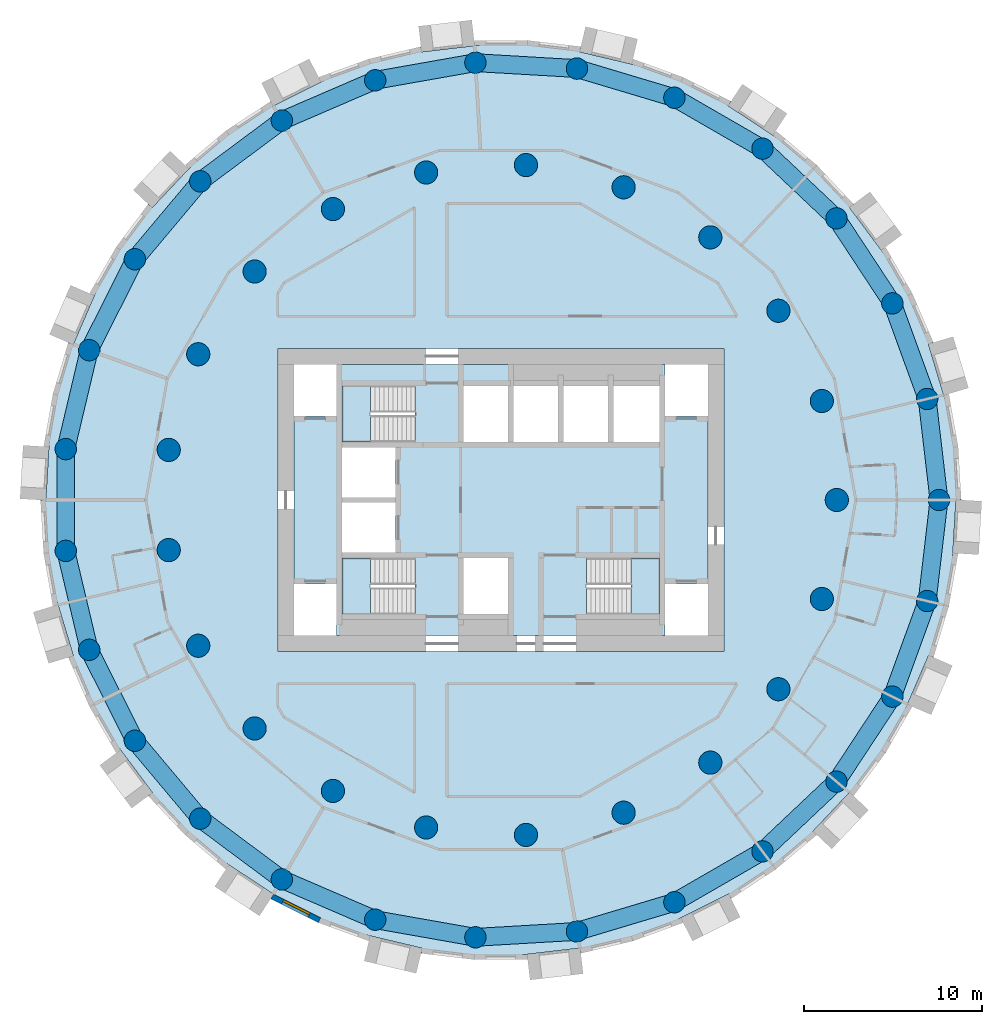
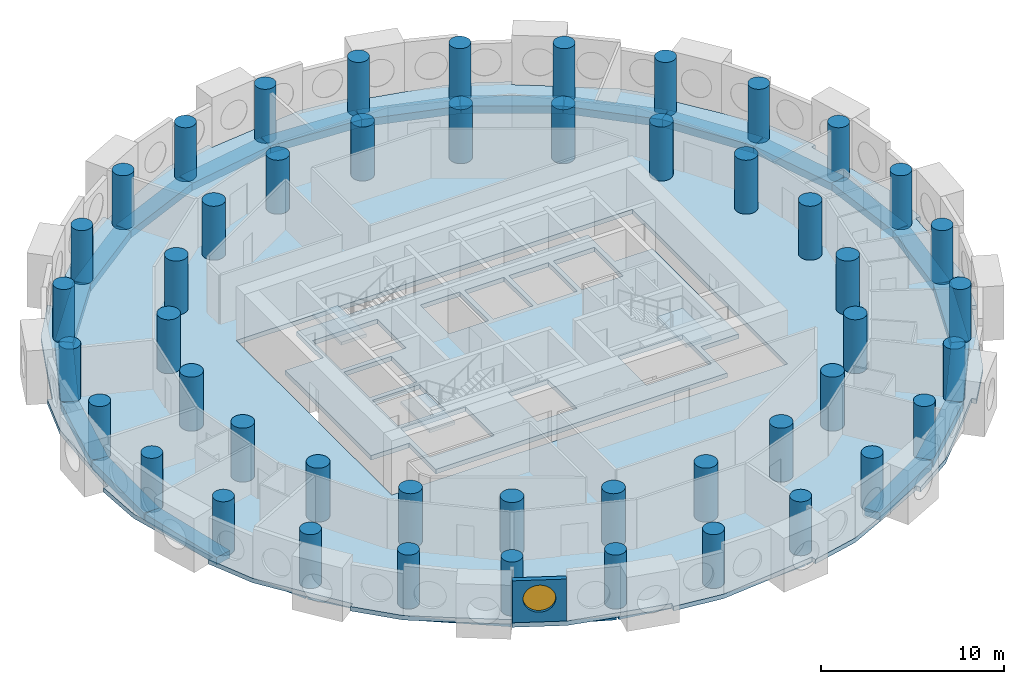
# One storey, part 1 of 9: 48 columns, 27 beams, 5 slabs, 1 wall, 1 window, 1 opening, 3 elements without a shape of their own.
"""IFC4 building model written with IfcOpenShell, lengths in metres."""

import ifcopenshell
import ifcopenshell.guid

model = None  # the IFC model being written
_history = None  # IfcOwnerHistory: only IFC2X3 demands one
_inside = {}  # id of a spatial element -> (the spatial element, [elements in it])
_under = {}  # id of a project, library or spatial element -> (it, [spatial elements below it])
_declared = {}  # id of a project -> (the project, [libraries it declares])
_typed = {}  # id of a type object -> (the type object, [elements of that type])
_made_of = {}  # id of a material, layer set ... -> (it, [elements and type objects made of it])


def new_model(schema):
    """Start an empty IFC model of exactly this schema.

    Asked for "IFC4X3", IfcOpenShell would pick the latest addendum, in which some entities
    have other attributes; the version numbers below select the first issue.
    IFC2X3 requires an IfcOwnerHistory on every rooted entity: one is made here for all.
    """
    global model, _history
    if schema == "IFC4X3":
        model = ifcopenshell.file(schema_version=(4, 3, 0, 0))
    else:
        model = ifcopenshell.file(schema=schema)
    _inside.clear()
    _under.clear()
    _declared.clear()
    _typed.clear()
    _made_of.clear()
    _history = None
    if model.schema == "IFC2X3":
        org = make("IfcOrganization", Name="unknown")
        user = make(
            "IfcPersonAndOrganization",
            ThePerson=make("IfcPerson", FamilyName="unknown"),
            TheOrganization=org,
        )
        app = make(
            "IfcApplication",
            ApplicationDeveloper=org,
            Version="unknown",
            ApplicationFullName="unknown",
            ApplicationIdentifier="unknown",
        )
        _history = make(
            "IfcOwnerHistory",
            OwningUser=user,
            OwningApplication=app,
            ChangeAction="ADDED",
            CreationDate=0,
        )
    return model


def make(cls, **values):
    """One entity of the class cls with the attributes given. An attribute that is None is left unset."""
    return model.create_entity(
        cls, **{name: value for name, value in values.items() if value is not None}
    )


def rooted(cls, **values):
    """An entity with a GlobalId (a new one), such as an element, a storey or a relation."""
    return make(cls, GlobalId=ifcopenshell.guid.new(), OwnerHistory=_history, **values)


def si_unit(unit_type, name, prefix=None):
    """IfcSIUnit, for example si_unit("LENGTHUNIT", "METRE", prefix="MILLI")."""
    return make("IfcSIUnit", UnitType=unit_type, Prefix=prefix, Name=name)


def assignment(units):
    """IfcUnitAssignment: the units of a project."""
    return None if units is None else make("IfcUnitAssignment", Units=units)


def point(xyz):
    """IfcCartesianPoint."""
    return None if xyz is None else make("IfcCartesianPoint", Coordinates=xyz)


def direction(xyz):
    """IfcDirection."""
    return None if xyz is None else make("IfcDirection", DirectionRatios=xyz)


def frame(location, z_axis=None, x_axis=None):
    """IfcAxis2Placement3D, a coordinate frame: its origin and axes. An axis left out is left unset."""
    return make(
        "IfcAxis2Placement3D",
        Location=point(location),
        Axis=direction(z_axis),
        RefDirection=direction(x_axis),
    )


def frame_2d(location, x_axis=None):
    """IfcAxis2Placement2D, a coordinate frame in the plane: its origin and x axis."""
    return make(
        "IfcAxis2Placement2D", Location=point(location), RefDirection=direction(x_axis)
    )


def origin():
    """The frame at (0, 0, 0) with its axes left unset."""
    return frame((0.0, 0.0, 0.0))


def origin_2d():
    """The frame at (0, 0) in the plane with its x axis left unset."""
    return frame_2d((0.0, 0.0))


def place(relative_to, where):
    """IfcLocalPlacement: puts the frame where relative to a parent placement (None: the world)."""
    return make(
        "IfcLocalPlacement", PlacementRelTo=relative_to, RelativePlacement=where
    )


def context(
    kind, dimensions, precision=None, world=None, true_north=None, identifier=None
):
    """IfcGeometricRepresentationContext, for example the 3D "Model" context."""
    return make(
        "IfcGeometricRepresentationContext",
        ContextIdentifier=identifier,
        ContextType=kind,
        CoordinateSpaceDimension=dimensions,
        Precision=precision,
        WorldCoordinateSystem=world,
        TrueNorth=true_north,
    )


def subcontext(parent, identifier, kind, view, scale=None):
    """IfcGeometricRepresentationSubContext, for example "Body" below "Model"."""
    return make(
        "IfcGeometricRepresentationSubContext",
        ContextIdentifier=identifier,
        ContextType=kind,
        ParentContext=parent,
        TargetScale=scale,
        TargetView=view,
    )


def project(units=None, contexts=None):
    """IfcProject with its units and contexts."""
    return rooted(
        "IfcProject",
        Name="project",
        RepresentationContexts=contexts,
        UnitsInContext=assignment(units),
    )


def spatial(cls, under=None, at=None, **own):
    """A site, building, storey or space (cls), placed at a placement, below another one or the project."""
    s = rooted(cls, ObjectPlacement=at, **own)
    if under is not None:
        _under.setdefault(under.id(), (under, []))[1].append(s)
    return s


def polyline(points):
    """IfcPolyline through the points."""
    return make("IfcPolyline", Points=[point(p) for p in points])


def profile(cls, at=None, kind="AREA", **sizes):
    """A parametric profile (cls). Its sizes go by their IFC names, for example OverallWidth=200.0."""
    return make(cls, ProfileType=kind, Position=at, **sizes)


def rectangle(**sizes):
    """IfcRectangleProfileDef."""
    return profile("IfcRectangleProfileDef", **sizes)


def circle(**sizes):
    """IfcCircleProfileDef."""
    return profile("IfcCircleProfileDef", **sizes)


def outline(outer, holes=None, kind="AREA"):
    """IfcArbitraryClosedProfileDef: a profile drawn as a closed curve; with holes, ...WithVoids."""
    if holes is None:
        return make("IfcArbitraryClosedProfileDef", ProfileType=kind, OuterCurve=outer)
    return make(
        "IfcArbitraryProfileDefWithVoids",
        ProfileType=kind,
        OuterCurve=outer,
        InnerCurves=holes,
    )


def extrude(swept, where, along, depth):
    """IfcExtrudedAreaSolid: the profile swept, set in the frame where, extruded along a direction by depth."""
    return make(
        "IfcExtrudedAreaSolid",
        SweptArea=swept,
        Position=where,
        ExtrudedDirection=direction(along),
        Depth=depth,
    )


def shape(context_of_items, identifier, shape_type, items):
    """IfcShapeRepresentation: the items that make up one representation, for example the "Body"."""
    return make(
        "IfcShapeRepresentation",
        ContextOfItems=context_of_items,
        RepresentationIdentifier=identifier,
        RepresentationType=shape_type,
        Items=items,
    )


def material(Name=None, Category=None):
    """IfcMaterial."""
    return make("IfcMaterial", Name=Name, Category=Category)


def layer(
    of_material, thickness, ventilated=None, Name=None, Category=None, Priority=None
):
    """IfcMaterialLayer: one layer of a wall or slab, of a material (None: an air gap)."""
    return make(
        "IfcMaterialLayer",
        Material=of_material,
        LayerThickness=thickness,
        IsVentilated=ventilated,
        Name=Name,
        Category=Category,
        Priority=Priority,
    )


def layer_set(layers, Name=None):
    """IfcMaterialLayerSet."""
    return make("IfcMaterialLayerSet", MaterialLayers=layers, LayerSetName=Name)


def material_profile(
    of_material, cross_section, Name=None, Category=None, Priority=None
):
    """IfcMaterialProfile: a cross section and its material."""
    return make(
        "IfcMaterialProfile",
        Name=Name,
        Material=of_material,
        Profile=cross_section,
        Priority=Priority,
        Category=Category,
    )


def profile_set(profiles, Name=None, composite=None):
    """IfcMaterialProfileSet."""
    return make(
        "IfcMaterialProfileSet",
        Name=Name,
        MaterialProfiles=profiles,
        CompositeProfile=composite,
    )


def made_of(thing, what):
    """Note that an element or type object is made of a material, layer set ...; save() writes the relation."""
    if what is not None:
        _made_of.setdefault(what.id(), (what, []))[1].append(thing)
    return thing


def type_object(cls, material=None, **own):
    """A type object (cls), such as IfcWallType, which elements share."""
    return made_of(rooted(cls, **own), material)


def element(
    cls,
    number,
    at=None,
    inside=None,
    cuts=None,
    type_object=None,
    material=None,
    context=None,
    identifier="Body",
    shape_type=None,
    held_by="IfcProductDefinitionShape",
    body=None,
    shapes=None,
    **own,
):
    """One element of the class cls, such as IfcWall. Its Tag is "e" and its number.

    at: its placement. inside: the storey or other place that contains it. cuts: it is an
    opening in that element (IfcRelVoidsElement). A single representation is given by context,
    identifier, shape_type and body (its items); several are given by shapes. held_by: the class
    of the entity that holds the representations. save() writes the other relations.
    """
    e = rooted(cls, Tag="e%d" % number, ObjectPlacement=at, **own)
    if body is not None:
        shapes = [shape(context, identifier, shape_type, body)]
    if shapes is not None:
        e.Representation = make(held_by, Representations=shapes)
    if inside is not None:
        _inside.setdefault(inside.id(), (inside, []))[1].append(e)
    if cuts is not None:
        rooted(
            "IfcRelVoidsElement", RelatingBuildingElement=cuts, RelatedOpeningElement=e
        )
    if type_object is not None:
        _typed.setdefault(type_object.id(), (type_object, []))[1].append(e)
    return made_of(e, material)


def fill(opening, filler):
    """IfcRelFillsElement: the door or window that sits in an opening."""
    return rooted(
        "IfcRelFillsElement",
        RelatingOpeningElement=opening,
        RelatedBuildingElement=filler,
    )


def aggregate(whole, parts):
    """IfcRelAggregates: a whole, such as a stair, and the parts it consists of."""
    return rooted("IfcRelAggregates", RelatingObject=whole, RelatedObjects=parts)


def save(model, path):
    """Write the relations noted so far, then the file.

    IfcRelAggregates (storeys below a building ...), IfcRelContainedInSpatialStructure (elements
    in a storey), IfcRelDefinesByType, IfcRelAssociatesMaterial and IfcRelDeclares: one each for
    every whole, place, type object, material and project.
    """
    for whole, parts in _under.values():
        aggregate(whole, parts)
    for where, things in _inside.values():
        rooted(
            "IfcRelContainedInSpatialStructure",
            RelatedElements=things,
            RelatingStructure=where,
        )
    for kind, things in _typed.values():
        rooted("IfcRelDefinesByType", RelatedObjects=things, RelatingType=kind)
    for what, things in _made_of.values():
        rooted("IfcRelAssociatesMaterial", RelatedObjects=things, RelatingMaterial=what)
    for by, libraries in _declared.values():
        rooted("IfcRelDeclares", RelatingContext=by, RelatedDefinitions=libraries)
    model.write(path)


model = new_model("IFC4")

# Units and contexts
model_context = context("Model", 3, precision=1e-05, world=origin(), true_north=direction((0.0, 1.0)))
body_context = subcontext(model_context, "Body", "Model", "MODEL_VIEW")
ifc_project = project(units=[si_unit("LENGTHUNIT", "METRE"), si_unit("AREAUNIT", "SQUARE_METRE"), si_unit("VOLUMEUNIT", "CUBIC_METRE"), si_unit("PLANEANGLEUNIT", "RADIAN"), si_unit("MASSUNIT", "GRAM", prefix="KILO")], contexts=[model_context])

# Site, building, storey
site_placement = place(None, origin())
site = spatial("IfcSite", under=ifc_project, at=site_placement, CompositionType="ELEMENT")
building_placement = place(site_placement, origin())
building = spatial("IfcBuilding", under=site, at=building_placement, Name="Tracery Tower", CompositionType="ELEMENT")
storey_placement = place(building_placement, frame((0.0, 0.0, 190.800048828125)))
storey = spatial("IfcBuildingStorey", under=building, at=storey_placement, Name="L49", CompositionType="ELEMENT", Elevation=190.800048828125)

# Columns
ifc_material_1 = material(Name="Concrete C50/60", Category="concrete")
ifc_material_profile_1 = material_profile(ifc_material_1, circle(Radius=0.60009765625, at=origin_2d()), Name="RC D1200")
ifc_profile_set_1 = profile_set([ifc_material_profile_1], Name="Concrete C50/60")
column_type_1 = type_object("IfcColumnType", Name="Ring 1 column 1200", PredefinedType="COLUMN", material=ifc_profile_set_1)
for number, where, z_axis, x_axis, name in (
    (1, (24.547607421875, 0.0, 0.0), (0.0, 0.0, 1.0), (1.0, 0.0, 0.0), "Ring 1 column 00 at L49"),
    (2, (23.885986328125, 5.6611328125, 0.0), (0.0, 0.0, 1.0), (1.0, 0.0, 0.0), "Ring 1 column 01 at L49"),
    (3, (21.9365234375, 11.01708984375, 0.0), (0.0, 0.0, 1.0), (1.0, 0.0, 0.0), "Ring 1 column 02 at L49"),
    (4, (18.8046875, 15.779052734375, 0.0), (0.0, 0.0, 1.0), (1.0, 0.0, 0.0), "Ring 1 column 03 at L49"),
    (5, (14.658935546875, 19.690185546875, 0.0), (0.0, 0.0, 1.0), (1.0, 0.0, 0.0), "Ring 1 column 04 at L49"),
    (6, (9.722900390625, 22.5400390625, 0.0), (0.0, 0.0, 1.0), (1.0, 0.0, 0.0), "Ring 1 column 05 at L49"),
    (7, (4.2626953125, 24.1748046875, 0.0), (0.0, 0.0, 1.0), (1.0, 0.0, 0.0), "Ring 1 column 06 at L49"),
    (8, (-1.42724609375, 24.506103515625, 0.0), (0.0, 0.0, 1.0), (1.0, 0.0, 0.0), "Ring 1 column 07 at L49"),
    (9, (-7.040283203125, 23.516357421875, 0.0), (0.0, 0.0, 1.0), (1.0, 0.0, 0.0), "Ring 1 column 08 at L49"),
    (10, (-12.273681640625, 21.2587890625, 0.0), (0.0, 0.0, 1.0), (1.0, 0.0, 0.0), "Ring 1 column 09 at L49"),
    (11, (-16.845703125, 17.855224609375, 0.0), (0.0, 0.0, 1.0), (1.0, 0.0, 0.0), "Ring 1 column 10 at L49"),
    (12, (-20.50927734375, 13.4892578125, 0.0), (0.0, 0.0, 1.0), (1.0, 0.0, 0.0), "Ring 1 column 11 at L49"),
    (13, (-23.0673828125, 8.395751953125, 0.0), (0.0, 0.0, 1.0), (1.0, 0.0, 0.0), "Ring 1 column 12 at L49"),
    (14, (-24.381591796875, 2.849853515625, 0.0), (0.0, 0.0, 1.0), (1.0, 0.0, 0.0), "Ring 1 column 13 at L49"),
    (15, (-24.381591796875, -2.849853515625, 0.0), (0.0, 0.0, 1.0), (1.0, 0.0, 0.0), "Ring 1 column 14 at L49"),
    (16, (-23.0673828125, -8.395751953125, 0.0), (0.0, 0.0, 1.0), (1.0, 0.0, 0.0), "Ring 1 column 15 at L49"),
    (17, (-20.50927734375, -13.4892578125, 0.0), (0.0, 0.0, 1.0), (1.0, 0.0, 0.0), "Ring 1 column 16 at L49"),
    (18, (-16.845703125, -17.85546875, 0.0), (0.0, 0.0, 1.0), (1.0, 0.0, 0.0), "Ring 1 column 17 at L49"),
    (19, (-12.27392578125, -21.2587890625, 0.0), (0.0, 0.0, 1.0), (1.0, 0.0, 0.0), "Ring 1 column 18 at L49"),
    (20, (-7.040283203125, -23.516357421875, 0.0), (0.0, 0.0, 1.0), (1.0, 0.0, 0.0), "Ring 1 column 19 at L49"),
    (21, (-1.42724609375, -24.506103515625, 0.0), (0.0, 0.0, 1.0), (1.0, 0.0, 0.0), "Ring 1 column 20 at L49"),
    (22, (4.2626953125, -24.1748046875, 0.0), (0.0, 0.0, 1.0), (1.0, 0.0, 0.0), "Ring 1 column 21 at L49"),
    (23, (9.722900390625, -22.5400390625, 0.0), (0.0, 0.0, 1.0), (1.0, 0.0, 0.0), "Ring 1 column 22 at L49"),
    (24, (14.658935546875, -19.690185546875, 0.0), (0.0, 0.0, 1.0), (1.0, 0.0, 0.0), "Ring 1 column 23 at L49"),
    (25, (18.8046875, -15.779052734375, 0.0), (0.0, 0.0, 1.0), (1.0, 0.0, 0.0), "Ring 1 column 24 at L49"),
    (26, (21.9365234375, -11.01708984375, 0.0), (0.0, 0.0, 1.0), (1.0, 0.0, 0.0), "Ring 1 column 25 at L49"),
    (27, (23.885986328125, -5.6611328125, 0.0), (0.0, 0.0, 1.0), (1.0, 0.0, 0.0), "Ring 1 column 26 at L49"),
):
    element("IfcColumn", number, at=place(storey_placement, frame(where, z_axis=z_axis, x_axis=x_axis)), inside=storey, type_object=column_type_1, Name=name, PredefinedType="COLUMN", context=body_context, shape_type="SweptSolid", body=[
        extrude(circle(Radius=0.60009765625, at=origin_2d()), origin(), (0.0, 0.0, 1.0), 3.599853515625),
    ])
ifc_material_2 = material(Name="Concrete C50/60", Category="concrete")
ifc_material_profile_2 = material_profile(ifc_material_2, circle(Radius=0.64990234375, at=origin_2d()), Name="RC D1300")
ifc_profile_set_2 = profile_set([ifc_material_profile_2], Name="Concrete C50/60")
column_type_2 = type_object("IfcColumnType", Name="Ring 2 column 1300", PredefinedType="COLUMN", material=ifc_profile_set_2)
for number, where, z_axis, x_axis, name in (
    (28, (18.822265625, 0.0, 0.0), (0.0, 0.0, 1.0), (1.0, 0.0, 0.0), "Ring 2 column 00 at L49"),
    (29, (17.986083984375, 5.5478515625, 0.0), (0.0, 0.0, 1.0), (1.0, 0.0, 0.0), "Ring 2 column 01 at L49"),
    (30, (15.551513671875, 10.602783203125, 0.0), (0.0, 0.0, 1.0), (1.0, 0.0, 0.0), "Ring 2 column 02 at L49"),
    (31, (11.7353515625, 14.7158203125, 0.0), (0.0, 0.0, 1.0), (1.0, 0.0, 0.0), "Ring 2 column 03 at L49"),
    (32, (6.87646484375, 17.52099609375, 0.0), (0.0, 0.0, 1.0), (1.0, 0.0, 0.0), "Ring 2 column 04 at L49"),
    (33, (1.406494140625, 18.76953125, 0.0), (0.0, 0.0, 1.0), (1.0, 0.0, 0.0), "Ring 2 column 05 at L49"),
    (34, (-4.188232421875, 18.350341796875, 0.0), (0.0, 0.0, 1.0), (1.0, 0.0, 0.0), "Ring 2 column 06 at L49"),
    (35, (-9.4111328125, 16.300537109375, 0.0), (0.0, 0.0, 1.0), (1.0, 0.0, 0.0), "Ring 2 column 07 at L49"),
    (36, (-13.797607421875, 12.802490234375, 0.0), (0.0, 0.0, 1.0), (1.0, 0.0, 0.0), "Ring 2 column 08 at L49"),
    (37, (-16.958251953125, 8.16650390625, 0.0), (0.0, 0.0, 1.0), (1.0, 0.0, 0.0), "Ring 2 column 09 at L49"),
    (38, (-18.612060546875, 2.805419921875, 0.0), (0.0, 0.0, 1.0), (1.0, 0.0, 0.0), "Ring 2 column 10 at L49"),
    (39, (-18.612060546875, -2.805419921875, 0.0), (0.0, 0.0, 1.0), (1.0, 0.0, 0.0), "Ring 2 column 11 at L49"),
    (40, (-16.958251953125, -8.166748046875, 0.0), (0.0, 0.0, 1.0), (1.0, 0.0, 0.0), "Ring 2 column 12 at L49"),
    (41, (-13.797607421875, -12.80224609375, 0.0), (0.0, 0.0, 1.0), (1.0, 0.0, 0.0), "Ring 2 column 13 at L49"),
    (42, (-9.4111328125, -16.300537109375, 0.0), (0.0, 0.0, 1.0), (1.0, 0.0, 0.0), "Ring 2 column 14 at L49"),
    (43, (-4.188232421875, -18.350341796875, 0.0), (0.0, 0.0, 1.0), (1.0, 0.0, 0.0), "Ring 2 column 15 at L49"),
    (44, (1.406494140625, -18.76953125, 0.0), (0.0, 0.0, 1.0), (1.0, 0.0, 0.0), "Ring 2 column 16 at L49"),
    (45, (6.87646484375, -17.52099609375, 0.0), (0.0, 0.0, 1.0), (1.0, 0.0, 0.0), "Ring 2 column 17 at L49"),
    (46, (11.7353515625, -14.7158203125, 0.0), (0.0, 0.0, 1.0), (1.0, 0.0, 0.0), "Ring 2 column 18 at L49"),
    (47, (15.551513671875, -10.602783203125, 0.0), (0.0, 0.0, 1.0), (1.0, 0.0, 0.0), "Ring 2 column 19 at L49"),
    (48, (17.986083984375, -5.5478515625, 0.0), (0.0, 0.0, 1.0), (1.0, 0.0, 0.0), "Ring 2 column 20 at L49"),
):
    element("IfcColumn", number, at=place(storey_placement, frame(where, z_axis=z_axis, x_axis=x_axis)), inside=storey, type_object=column_type_2, Name=name, PredefinedType="COLUMN", context=body_context, shape_type="SweptSolid", body=[
        extrude(circle(Radius=0.64990234375, at=origin_2d()), origin(), (0.0, 0.0, 1.0), 3.599853515625),
    ])

# Beams
ifc_material_3 = material(Name="Concrete C50/60", Category="concrete")
ifc_material_profile_3 = material_profile(ifc_material_3, rectangle(XDim=1.0, YDim=0.5, at=origin_2d()), Name="RC 1000x500")
ifc_profile_set_3 = profile_set([ifc_material_profile_3], Name="Concrete C50/60")
beam_type = type_object("IfcBeamType", Name="Perimeter band beam 1000x500", PredefinedType="BEAM", material=ifc_profile_set_3)
for number, where, z_axis, x_axis, name in (
    (49, (24.547607421875, 0.0, -0.550048828125), (-0.116080723252, 0.993239782575, 0.0), (-0.993239782575, -0.116080723252, 0.0), "Perimeter beam 1.00 under L49"),
    (50, (23.885986328125, 5.6611328125, -0.550048828125), (-0.342028502279, 0.939689578334, 0.0), (-0.939689578334, -0.342028502279, 0.0), "Perimeter beam 1.01 under L49"),
):
    element("IfcBeam", number, at=place(storey_placement, frame(where, z_axis=z_axis, x_axis=x_axis)), inside=storey, type_object=beam_type, Name=name, PredefinedType="BEAM", context=body_context, shape_type="SweptSolid", body=[
        extrude(rectangle(XDim=1.0, YDim=0.5, at=origin_2d()), origin(), (0.0, 0.0, 1.0), 5.69970703125),
    ])
for number, where, z_axis, x_axis, name in (
    (51, (21.9365234375, 11.01708984375, -0.550048828125), (-0.549489832182, 0.835500403548, 0.0), (-0.835500403548, -0.549489832182, 0.0), "Perimeter beam 1.02 under L49"),
    (52, (18.8046875, 15.779052734375, -0.550048828125), (-0.727389618263, 0.686224703172, 0.0), (-0.686224703172, -0.727389618263, 0.0), "Perimeter beam 1.03 under L49"),
):
    element("IfcBeam", number, at=place(storey_placement, frame(where, z_axis=z_axis, x_axis=x_axis)), inside=storey, type_object=beam_type, Name=name, PredefinedType="BEAM", context=body_context, shape_type="SweptSolid", body=[
        extrude(rectangle(XDim=1.0, YDim=0.5, at=origin_2d()), origin(), (0.0, 0.0, 1.0), 5.699462890625),
    ])
for number, where, z_axis, x_axis, name in (
    (53, (14.658935546875, 19.690185546875, -0.550048828125), (-0.866022950691, 0.500004248858, 0.0), (-0.500004248858, -0.866022950691, 0.0), "Perimeter beam 1.04 under L49"),
    (54, (9.722900390625, 22.5400390625, -0.550048828125), (-0.957985292634, 0.28681732705, 0.0), (-0.28681732705, -0.957985292634, 0.0), "Perimeter beam 1.05 under L49"),
):
    element("IfcBeam", number, at=place(storey_placement, frame(where, z_axis=z_axis, x_axis=x_axis)), inside=storey, type_object=beam_type, Name=name, PredefinedType="BEAM", context=body_context, shape_type="SweptSolid", body=[
        extrude(rectangle(XDim=1.0, YDim=0.5, at=origin_2d()), origin(), (0.0, 0.0, 1.0), 5.69970703125),
    ])
beam_1_placement = place(storey_placement, frame((4.2626953125, 24.1748046875, -0.550048828125), z_axis=(-0.99830920221, 0.058126902403, 0.0), x_axis=(-0.058126902403, -0.99830920221, 0.0)))
element("IfcBeam", 55, at=beam_1_placement, inside=storey, type_object=beam_type, Name="Perimeter beam 1.06 under L49", PredefinedType="BEAM", context=body_context, shape_type="SweptSolid", body=[
    extrude(rectangle(XDim=1.0, YDim=0.5, at=origin_2d()), origin(), (0.0, 0.0, 1.0), 5.699462890625),
])
beam_2_placement = place(storey_placement, frame((-1.42724609375, 24.506103515625, -0.550048828125), z_axis=(-0.984807266719, -0.173650935552, 0.0), x_axis=(0.173650935552, -0.984807266719, 0.0)))
element("IfcBeam", 56, at=beam_2_placement, inside=storey, type_object=beam_type, Name="Perimeter beam 1.07 under L49", PredefinedType="BEAM", context=body_context, shape_type="SweptSolid", body=[
    extrude(rectangle(XDim=1.0, YDim=0.5, at=origin_2d()), origin(), (0.0, 0.0, 1.0), 5.69970703125),
])
beam_3_placement = place(storey_placement, frame((-7.040283203125, 23.516357421875, -0.550048828125), z_axis=(-0.918209685525, -0.396094652083, 0.0), x_axis=(0.396094652083, -0.918209685525, 0.0)))
element("IfcBeam", 57, at=beam_3_placement, inside=storey, type_object=beam_type, Name="Perimeter beam 1.08 under L49", PredefinedType="BEAM", context=body_context, shape_type="SweptSolid", body=[
    extrude(rectangle(XDim=1.0, YDim=0.5, at=origin_2d()), origin(), (0.0, 0.0, 1.0), 5.699462890625),
])
beam_4_placement = place(storey_placement, frame((-12.273681640625, 21.2587890625, -0.550048828125), z_axis=(-0.802138271299, -0.59713833717, 0.0), x_axis=(0.59713833717, -0.802138271299, 0.0)))
element("IfcBeam", 58, at=beam_4_placement, inside=storey, type_object=beam_type, Name="Perimeter beam 1.09 under L49", PredefinedType="BEAM", context=body_context, shape_type="SweptSolid", body=[
    extrude(rectangle(XDim=1.0, YDim=0.5, at=origin_2d()), origin(), (0.0, 0.0, 1.0), 5.69970703125),
])
beam_5_placement = place(storey_placement, frame((-16.845703125, 17.855224609375, -0.550048828125), z_axis=(-0.642797194343, -0.766036400535, 0.0), x_axis=(0.766036400535, -0.642797194343, 0.0)))
element("IfcBeam", 59, at=beam_5_placement, inside=storey, type_object=beam_type, Name="Perimeter beam 1.10 under L49", PredefinedType="BEAM", context=body_context, shape_type="SweptSolid", body=[
    extrude(rectangle(XDim=1.0, YDim=0.5, at=origin_2d()), origin(), (0.0, 0.0, 1.0), 5.699462890625),
])
beam_6_placement = place(storey_placement, frame((-20.50927734375, 13.4892578125, -0.550048828125), z_axis=(-0.448806280933, -0.893629074166, 0.0), x_axis=(0.893629074166, -0.448806280933, 0.0)))
element("IfcBeam", 60, at=beam_6_placement, inside=storey, type_object=beam_type, Name="Perimeter beam 1.11 under L49", PredefinedType="BEAM", context=body_context, shape_type="SweptSolid", body=[
    extrude(rectangle(XDim=1.0, YDim=0.5, at=origin_2d()), origin(), (0.0, 0.0, 1.0), 5.69970703125),
])
beam_7_placement = place(storey_placement, frame((-23.0673828125, 8.395751953125, -0.550048828125), z_axis=(-0.230583793756, -0.973052472407, 0.0), x_axis=(0.973052472407, -0.230583793756, 0.0)))
element("IfcBeam", 61, at=beam_7_placement, inside=storey, type_object=beam_type, Name="Perimeter beam 1.12 under L49", PredefinedType="BEAM", context=body_context, shape_type="SweptSolid", body=[
    extrude(rectangle(XDim=1.0, YDim=0.5, at=origin_2d()), origin(), (0.0, 0.0, 1.0), 5.699462890625),
])
beam_8_placement = place(storey_placement, frame((-24.381591796875, 2.849853515625, -0.550048828125), z_axis=(0.0, -1.0, 0.0), x_axis=(1.0, 0.0, 0.0)))
element("IfcBeam", 62, at=beam_8_placement, inside=storey, type_object=beam_type, Name="Perimeter beam 1.13 under L49", PredefinedType="BEAM", context=body_context, shape_type="SweptSolid", body=[
    extrude(rectangle(XDim=1.0, YDim=0.5, at=origin_2d()), origin(), (0.0, 0.0, 1.0), 5.69970703125),
])
beam_9_placement = place(storey_placement, frame((-24.381591796875, -2.849853515625, -0.550048828125), z_axis=(0.230583793756, -0.973052472407, 0.0), x_axis=(0.973052472407, 0.230583793756, 0.0)))
element("IfcBeam", 63, at=beam_9_placement, inside=storey, type_object=beam_type, Name="Perimeter beam 1.14 under L49", PredefinedType="BEAM", context=body_context, shape_type="SweptSolid", body=[
    extrude(rectangle(XDim=1.0, YDim=0.5, at=origin_2d()), origin(), (0.0, 0.0, 1.0), 5.699462890625),
])
for number, where, z_axis, x_axis, name in (
    (64, (-23.0673828125, -8.395751953125, -0.550048828125), (0.448806280933, -0.893629074166, 0.0), (0.893629074166, 0.448806280933, 0.0), "Perimeter beam 1.15 under L49"),
    (65, (-20.50927734375, -13.4892578125, -0.550048828125), (0.64277610208, -0.766054099, 0.0), (0.766054099, 0.64277610208, 0.0), "Perimeter beam 1.16 under L49"),
):
    element("IfcBeam", number, at=place(storey_placement, frame(where, z_axis=z_axis, x_axis=x_axis)), inside=storey, type_object=beam_type, Name=name, PredefinedType="BEAM", context=body_context, shape_type="SweptSolid", body=[
        extrude(rectangle(XDim=1.0, YDim=0.5, at=origin_2d()), origin(), (0.0, 0.0, 1.0), 5.69970703125),
    ])
beam_10_placement = place(storey_placement, frame((-16.845703125, -17.85546875, -0.550048828125), z_axis=(0.802143514942, -0.597131293298, 0.0), x_axis=(0.597131293298, 0.802143514942, 0.0)))
element("IfcBeam", 66, at=beam_10_placement, inside=storey, type_object=beam_type, Name="Perimeter beam 1.17 under L49", PredefinedType="BEAM", context=body_context, shape_type="SweptSolid", body=[
    extrude(rectangle(XDim=1.0, YDim=0.5, at=origin_2d()), origin(), (0.0, 0.0, 1.0), 5.699462890625),
])
for number, where, z_axis, x_axis, name in (
    (67, (-12.27392578125, -21.2587890625, -0.550048828125), (0.918216405543, -0.39607907366, 0.0), (0.39607907366, 0.918216405543, 0.0), "Perimeter beam 1.18 under L49"),
    (68, (-7.040283203125, -23.516357421875, -0.550048828125), (0.984807266719, -0.173650935552, 0.0), (0.173650935552, 0.984807266719, 0.0), "Perimeter beam 1.19 under L49"),
):
    element("IfcBeam", number, at=place(storey_placement, frame(where, z_axis=z_axis, x_axis=x_axis)), inside=storey, type_object=beam_type, Name=name, PredefinedType="BEAM", context=body_context, shape_type="SweptSolid", body=[
        extrude(rectangle(XDim=1.0, YDim=0.5, at=origin_2d()), origin(), (0.0, 0.0, 1.0), 5.69970703125),
    ])
beam_11_placement = place(storey_placement, frame((-1.42724609375, -24.506103515625, -0.550048828125), z_axis=(0.99830920221, 0.058126902403, 0.0), x_axis=(-0.058126902403, 0.99830920221, 0.0)))
element("IfcBeam", 69, at=beam_11_placement, inside=storey, type_object=beam_type, Name="Perimeter beam 1.20 under L49", PredefinedType="BEAM", context=body_context, shape_type="SweptSolid", body=[
    extrude(rectangle(XDim=1.0, YDim=0.5, at=origin_2d()), origin(), (0.0, 0.0, 1.0), 5.699462890625),
])
for number, where, z_axis, x_axis, name in (
    (70, (4.2626953125, -24.1748046875, -0.550048828125), (0.957985292634, 0.28681732705, 0.0), (-0.28681732705, 0.957985292634, 0.0), "Perimeter beam 1.21 under L49"),
    (71, (9.722900390625, -22.5400390625, -0.550048828125), (0.866022950691, 0.500004248858, 0.0), (-0.500004248858, 0.866022950691, 0.0), "Perimeter beam 1.22 under L49"),
):
    element("IfcBeam", number, at=place(storey_placement, frame(where, z_axis=z_axis, x_axis=x_axis)), inside=storey, type_object=beam_type, Name=name, PredefinedType="BEAM", context=body_context, shape_type="SweptSolid", body=[
        extrude(rectangle(XDim=1.0, YDim=0.5, at=origin_2d()), origin(), (0.0, 0.0, 1.0), 5.69970703125),
    ])
for number, where, z_axis, x_axis, name in (
    (72, (14.658935546875, -19.690185546875, -0.550048828125), (0.727389618263, 0.686224703172, 0.0), (-0.686224703172, 0.727389618263, 0.0), "Perimeter beam 1.23 under L49"),
    (73, (18.8046875, -15.779052734375, -0.550048828125), (0.549489832182, 0.835500403548, 0.0), (-0.835500403548, 0.549489832182, 0.0), "Perimeter beam 1.24 under L49"),
):
    element("IfcBeam", number, at=place(storey_placement, frame(where, z_axis=z_axis, x_axis=x_axis)), inside=storey, type_object=beam_type, Name=name, PredefinedType="BEAM", context=body_context, shape_type="SweptSolid", body=[
        extrude(rectangle(XDim=1.0, YDim=0.5, at=origin_2d()), origin(), (0.0, 0.0, 1.0), 5.699462890625),
    ])
for number, where, z_axis, x_axis, name in (
    (74, (21.9365234375, -11.01708984375, -0.550048828125), (0.342028502279, 0.939689578334, 0.0), (-0.939689578334, 0.342028502279, 0.0), "Perimeter beam 1.25 under L49"),
    (75, (23.885986328125, -5.6611328125, -0.550048828125), (0.116080723252, 0.993239782575, 0.0), (-0.993239782575, 0.116080723252, 0.0), "Perimeter beam 1.26 under L49"),
):
    element("IfcBeam", number, at=place(storey_placement, frame(where, z_axis=z_axis, x_axis=x_axis)), inside=storey, type_object=beam_type, Name=name, PredefinedType="BEAM", context=body_context, shape_type="SweptSolid", body=[
        extrude(rectangle(XDim=1.0, YDim=0.5, at=origin_2d()), origin(), (0.0, 0.0, 1.0), 5.69970703125),
    ])

# Slabs
ifc_material_4 = material(Name="Concrete C50/60", Category="concrete")
ifc_layer_1 = layer(ifc_material_4, 0.300048828125)
ifc_layer_set_1 = layer_set([ifc_layer_1], Name="Core floor slab 300 C50")
slab_type_1 = type_object("IfcSlabType", Name="Core floor slab 300 C50", PredefinedType="FLOOR", material=ifc_layer_set_1)
slab_1_placement = place(storey_placement, frame((0.0, 0.0, -0.300048828125)))
element("IfcSlab", 76, at=slab_1_placement, inside=storey, type_object=slab_type_1, Name="L49 core floor 1", PredefinedType="FLOOR", context=body_context, shape_type="SweptSolid", body=[
    extrude(outline(polyline([(-9.199951171875, 7.60009765625), (9.199951171875, 7.60009765625), (9.199951171875, 4.699951171875), (11.60009765625, 4.699951171875), (11.60009765625, -4.699951171875), (9.199951171875, -4.699951171875), (9.199951171875, -7.60009765625), (-9.199951171875, -7.60009765625), (-9.199951171875, -4.699951171875), (-11.60009765625, -4.699951171875), (-11.60009765625, 4.699951171875), (-9.199951171875, 4.699951171875), (-9.199951171875, 7.60009765625)]), holes=[polyline([(4.800537109375, -6.39990234375), (8.89990234375, -6.39990234375), (8.89990234375, -3.25), (4.800537109375, -3.25), (4.800537109375, -6.39990234375)]), polyline([(8.89990234375, 3.25), (8.89990234375, 6.39990234375), (6.300048828125, 6.39990234375), (6.300048828125, 3.25), (8.89990234375, 3.25)]), polyline([(6.0, 3.25), (6.0, 6.39990234375), (3.5, 6.39990234375), (3.5, 3.25), (6.0, 3.25)]), polyline([(3.199951171875, 3.25), (3.199951171875, 6.39990234375), (0.699951171875, 6.39990234375), (0.699951171875, 3.25), (3.199951171875, 3.25)]), polyline([(-2.10009765625, 3.25), (0.39990234375, 3.25), (0.39990234375, 6.39990234375), (-2.10009765625, 6.39990234375), (-2.10009765625, 3.25)]), polyline([(0.39990234375, -6.39990234375), (0.39990234375, -3.25), (-2.10009765625, -3.25), (-2.10009765625, -6.39990234375), (0.39990234375, -6.39990234375)]), polyline([(-4.800537109375, -3.25), (-8.89990234375, -3.25), (-8.89990234375, -6.39990234375), (-4.800537109375, -6.39990234375), (-4.800537109375, -3.25)]), polyline([(-4.800537109375, 6.39990234375), (-8.89990234375, 6.39990234375), (-8.89990234375, 3.25), (-4.800537109375, 3.25), (-4.800537109375, 6.39990234375)]), polyline([(-5.89990234375, -2.949951171875), (-5.89990234375, -0.14990234375), (-8.89990234375, -0.14990234375), (-8.89990234375, -2.949951171875), (-5.89990234375, -2.949951171875)]), polyline([(-5.89990234375, 0.14990234375), (-5.89990234375, 2.949951171875), (-8.89990234375, 2.949951171875), (-8.89990234375, 0.14990234375), (-5.89990234375, 0.14990234375)])]), origin(), (0.0, 0.0, 1.0), 0.300048828125),
])
ifc_material_5 = material(Name="Concrete C40/50", Category="concrete")
ifc_layer_2 = layer(ifc_material_5, 0.300048828125)
ifc_layer_set_2 = layer_set([ifc_layer_2], Name="Floor slab 300")
slab_type_2 = type_object("IfcSlabType", Name="Floor slab 300", PredefinedType="FLOOR", material=ifc_layer_set_2)
slab_2_placement = place(storey_placement, frame((0.0, 0.0, -0.300048828125)))
element("IfcSlab", 77, at=slab_2_placement, inside=storey, type_object=slab_type_2, Name="Floor slab L49", PredefinedType="FLOOR", context=body_context, shape_type="SweptSolid", body=[
    extrude(outline(polyline([(24.809814453125, 5.8798828125), (24.694580078125, 6.265380859375), (23.95947265625, 8.720703125), (23.95947265625, 8.720703125), (23.95458984375, 8.7373046875), (24.241943359375, 8.8232421875), (23.0537109375, 11.577880859375), (21.302490234375, 14.010986328125), (20.657958984375, 14.876953125), (19.521484375, 16.4033203125), (19.76220703125, 16.58251953125), (17.70361328125, 18.7646484375), (15.227294921875, 20.450927734375), (13.4443359375, 21.623779296875), (12.74853515625, 22.081298828125), (12.74853515625, 22.081298828125), (12.73388671875, 22.0908203125), (12.89892578125, 22.341552734375), (10.218017578125, 23.68798828125), (7.312744140625, 24.426025390625), (4.427490234375, 25.10986328125), (4.427490234375, 25.10986328125), (4.410400390625, 25.114013671875), (4.4794921875, 25.4052734375), (4.479736328125, 25.40576171875), (1.5, 25.754150390625), (-1.47998046875, 25.454345703125), (-3.055908203125, 25.27001953125), (-4.427490234375, 25.10986328125), (-4.427490234375, 25.10986328125), (-4.44482421875, 25.10791015625), (-4.479736328125, 25.40576171875), (-7.39892578125, 24.7138671875), (-10.098876953125, 23.411865234375), (-12.74853515625, 22.081298828125), (-12.74853515625, 22.081298828125), (-12.76416015625, 22.073486328125), (-12.89892578125, 22.341552734375), (-15.4052734375, 20.69287109375), (-17.497314453125, 18.5458984375), (-18.208740234375, 17.791748046875), (-19.5439453125, 16.376708984375), (-19.76171875, 16.581787109375), (-19.76220703125, 16.58251953125), (-21.5537109375, 14.176025390625), (-22.78515625, 11.443115234375), (-23.95947265625, 8.720703125), (-23.95947265625, 8.720703125), (-23.96630859375, 8.70458984375), (-24.241455078125, 8.822998046875), (-24.241943359375, 8.8232421875), (-25.102294921875, 5.949462890625), (-25.32470703125, 2.96044921875), (-25.498291015625, -0.017333984375), (-25.797607421875, 0.0), (-25.797607421875, 0.0), (-25.623291015625, -2.994873046875), (-24.809814453125, -5.8798828125), (-24.694580078125, -6.265380859375), (-23.95947265625, -8.720703125), (-23.95947265625, -8.720703125), (-23.95458984375, -8.7373046875), (-24.241943359375, -8.8232421875), (-23.0537109375, -11.577880859375), (-21.302490234375, -14.010986328125), (-20.657958984375, -14.876953125), (-19.521484375, -16.4033203125), (-19.76220703125, -16.58251953125), (-17.70361328125, -18.7646484375), (-15.227294921875, -20.450927734375), (-13.4443359375, -21.623779296875), (-12.74853515625, -22.081298828125), (-12.74853515625, -22.081298828125), (-12.73388671875, -22.0908203125), (-12.89892578125, -22.341552734375), (-10.218017578125, -23.68798828125), (-7.312744140625, -24.426025390625), (-4.427490234375, -25.10986328125), (-4.427490234375, -25.10986328125), (-4.410400390625, -25.114013671875), (-4.4794921875, -25.4052734375), (-4.479736328125, -25.40576171875), (-1.5, -25.754150390625), (1.47998046875, -25.454345703125), (3.055908203125, -25.27001953125), (4.427490234375, -25.10986328125), (4.427490234375, -25.10986328125), (4.44482421875, -25.10791015625), (4.479736328125, -25.40576171875), (7.39892578125, -24.7138671875), (10.098876953125, -23.411865234375), (12.74853515625, -22.081298828125), (12.74853515625, -22.081298828125), (12.76416015625, -22.073486328125), (12.898681640625, -22.341064453125), (12.89892578125, -22.341552734375), (15.4052734375, -20.69287109375), (17.497314453125, -18.5458984375), (18.208740234375, -17.791748046875), (19.5439453125, -16.376708984375), (19.76171875, -16.581787109375), (19.76220703125, -16.58251953125), (21.5537109375, -14.176025390625), (22.78515625, -11.443115234375), (23.95947265625, -8.720703125), (23.95947265625, -8.720703125), (23.96630859375, -8.70458984375), (24.241455078125, -8.822998046875), (24.241943359375, -8.8232421875), (25.102294921875, -5.949462890625), (25.32470703125, -2.96044921875), (25.498291015625, 0.017333984375), (25.797607421875, 0.0), (25.623291015625, 2.994873046875), (24.809814453125, 5.8798828125)]), holes=[polyline([(-12.5, -8.5), (12.5, -8.5), (12.5, 8.5), (-12.5, 8.5), (-12.5, -8.5)])]), origin(), (0.0, 0.0, 1.0), 0.300048828125),
])

# Stair, slab
ifc_material_6 = material(Name="Concrete C32/40", Category="concrete")
stair_type = type_object("IfcStairType", Name="Core stair 22 risers", PredefinedType="HALF_TURN_STAIR", material=ifc_material_6)
stair_1_placement = place(storey_placement, origin())
stair_1 = element("IfcStair", 78, at=stair_1_placement, inside=storey, type_object=stair_type, Name="L49 stair ST1", PredefinedType="HALF_TURN_STAIR")
ifc_material_7 = material(Name="Concrete C32/40", Category="concrete")
ifc_layer_3 = layer(ifc_material_7, 0.199951171875)
ifc_layer_set_3 = layer_set([ifc_layer_3], Name="Stair landing slab 200")
slab_type_3 = type_object("IfcSlabType", Name="Stair landing slab 200", PredefinedType="LANDING", material=ifc_layer_set_3)
slab_3_placement = place(storey_placement, frame((0.0, 0.0, 1.599853515625)))
slab_3 = element("IfcSlab", 79, at=slab_3_placement, type_object=slab_type_3, Name="ST1 landing 1", PredefinedType="LANDING", context=body_context, shape_type="SweptSolid", body=[
    extrude(outline(polyline([(-7.29931640625, -3.25), (-8.89990234375, -3.25), (-8.89990234375, -6.39990234375), (-7.29931640625, -6.39990234375), (-7.29931640625, -3.25)])), origin(), (0.0, 0.0, 1.0), 0.2001953125),
])
aggregate(stair_1, [slab_3])

stair_2_placement = place(storey_placement, origin())
stair_2 = element("IfcStair", 80, at=stair_2_placement, inside=storey, type_object=stair_type, Name="L49 stair ST3", PredefinedType="HALF_TURN_STAIR")
slab_4_placement = place(storey_placement, frame((0.0, 0.0, 1.599853515625)))
slab_4 = element("IfcSlab", 81, at=slab_4_placement, type_object=slab_type_3, Name="ST3 landing 1", PredefinedType="LANDING", context=body_context, shape_type="SweptSolid", body=[
    extrude(outline(polyline([(-7.29931640625, 6.39990234375), (-8.89990234375, 6.39990234375), (-8.89990234375, 3.25), (-7.29931640625, 3.25), (-7.29931640625, 6.39990234375)])), origin(), (0.0, 0.0, 1.0), 0.2001953125),
])
aggregate(stair_2, [slab_4])

stair_3_placement = place(storey_placement, origin())
stair_3 = element("IfcStair", 82, at=stair_3_placement, inside=storey, type_object=stair_type, Name="L49 stair ST2", PredefinedType="HALF_TURN_STAIR")
slab_5_placement = place(storey_placement, frame((0.0, 0.0, 1.599853515625)))
slab_5 = element("IfcSlab", 83, at=slab_5_placement, type_object=slab_type_3, Name="ST2 landing 1", PredefinedType="LANDING", context=body_context, shape_type="SweptSolid", body=[
    extrude(outline(polyline([(7.29931640625, -6.39990234375), (8.89990234375, -6.39990234375), (8.89990234375, -3.25), (7.29931640625, -3.25), (7.29931640625, -6.39990234375)])), origin(), (0.0, 0.0, 1.0), 0.2001953125),
])
aggregate(stair_3, [slab_5])

# Wall, opening, window
ifc_material_8 = material(Name="Precast concrete C50/60", Category="concrete")
ifc_layer_4 = layer(ifc_material_8, 0.300048828125)
ifc_layer_set_4 = layer_set([ifc_layer_4], Name="Facade panel 3000 x 2800")
wall_type = type_object("IfcWallType", Name="Facade panel 3000 x 2800", PredefinedType="SOLIDWALL", material=ifc_layer_set_4)
wall_placement = place(storey_placement, frame((-12.815185546875, -22.215576171875, 0.0), z_axis=(0.0, 0.0, 1.0), x_axis=(0.893637442555, -0.448789618045, 0.0)))
wall = element("IfcWall", 84, at=wall_placement, inside=storey, type_object=wall_type, Name="Facade panel 37 at L49", PredefinedType="SOLIDWALL", context=body_context, shape_type="SweptSolid", body=[
    extrude(rectangle(XDim=2.972900390625, YDim=0.300048828125, at=frame_2d((1.486328125, 0.0))), origin(), (0.0, 0.0, 1.0), 2.800048828125),
])
opening_placement = place(wall_placement, frame((1.486328125, 0.0, 1.5498046875)))
opening = element("IfcOpeningElement", 85, at=opening_placement, cuts=wall, Name="Opening WN1", PredefinedType="OPENING", context=body_context, shape_type="SweptSolid", body=[
    extrude(circle(Radius=0.9000244140625, at=origin_2d()), frame((0.0, 0.159912109375, 0.0), z_axis=(0.0, -1.0, 0.0), x_axis=(1.0, 0.0, 0.0)), (0.0, 0.0, 1.0), 0.320068359375),
])
ifc_material_9 = material(Name="Aluminium frame with tinted double glazing", Category="aluminium")
window_type = type_object("IfcWindowType", Name="Round window 1800", PartitioningType="SINGLE_PANEL", PredefinedType="WINDOW", material=ifc_material_9)
window_placement = place(opening_placement, origin())
window = element("IfcWindow", 86, at=window_placement, inside=storey, type_object=window_type, Name="Round window 37 at L49", OverallHeight=1.800048828125, OverallWidth=1.800048828125, PartitioningType="SINGLE_PANEL", PredefinedType="WINDOW", context=body_context, shape_type="SweptSolid", body=[
    extrude(circle(Radius=0.9000244140625, at=origin_2d()), frame((0.0, 0.1201171875, 0.0), z_axis=(0.0, -1.0, 0.0), x_axis=(1.0, 0.0, 0.0)), (0.0, 0.0, 1.0), 0.10009765625),
])
fill(opening, window)

save(model, "model.ifc")
